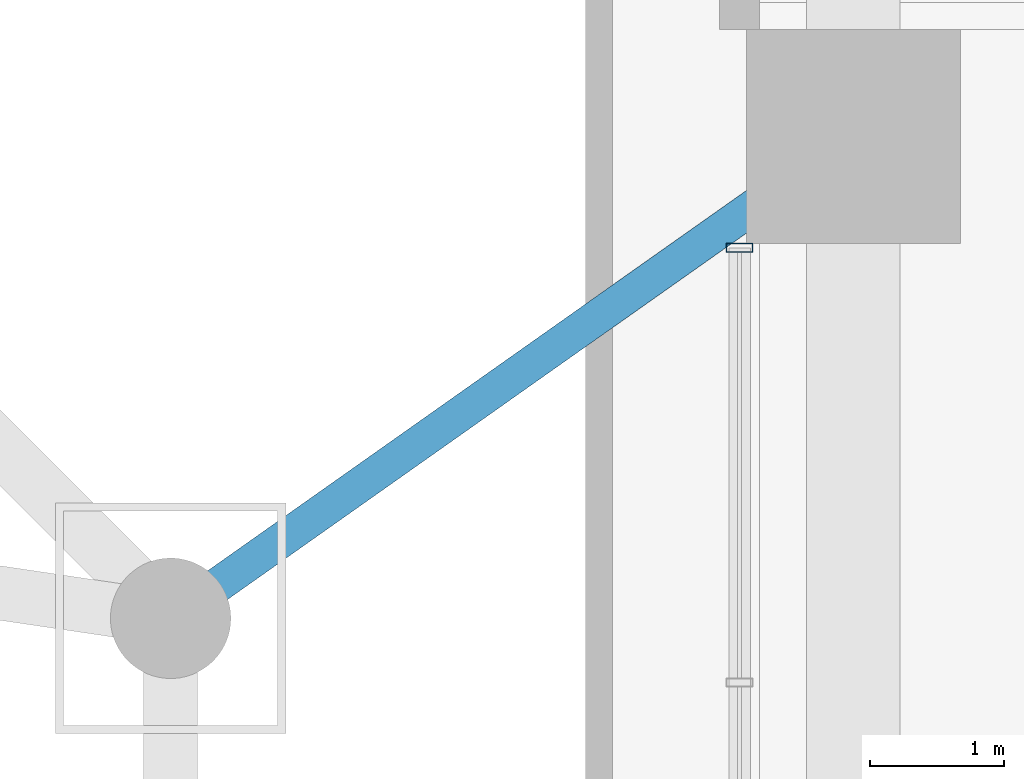
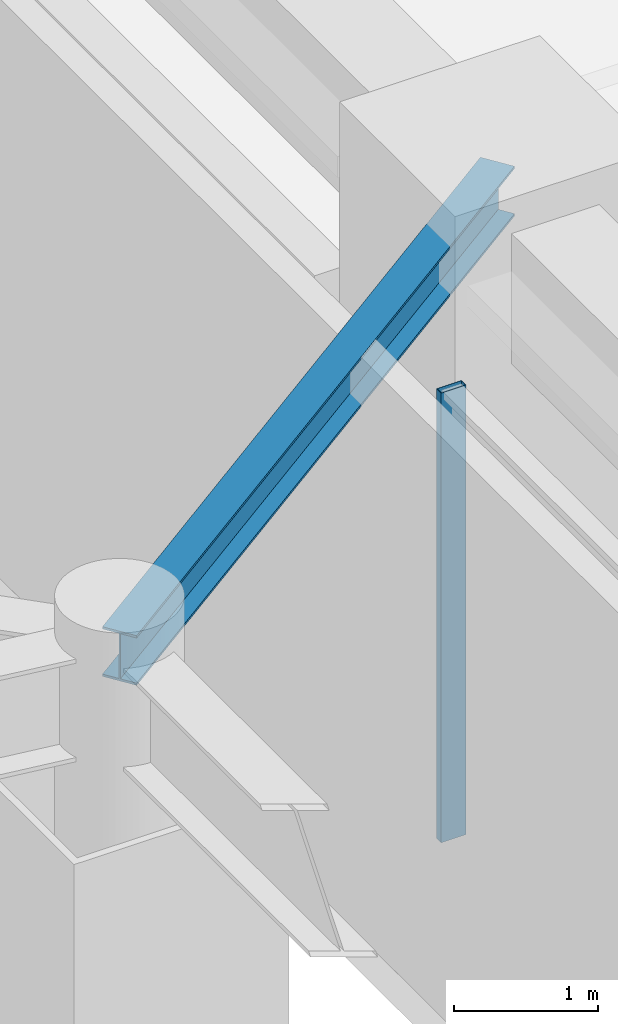
# One storey, part 14 of 27: 1 beam, 1 member, 1 element without a shape of its own.
"""IFC4 building model written with IfcOpenShell, lengths in metres."""

from ifc_helpers import new_model, si_unit, direction, frame, origin, origin_2d, place, context, subcontext, project, spatial, hollow_rectangle, i_section, extrude, source, transform, mapped, material, layer, layer_set, material_profile, profile_set, type_object, element, aggregate, save


model = new_model("IFC4")

# Units and contexts
model_context = context("Model", 3, precision=1e-05, world=origin(), true_north=direction((0.0, 1.0)))
body_context = subcontext(model_context, "Body", "Model", "MODEL_VIEW")
ifc_project = project(units=[si_unit("LENGTHUNIT", "METRE"), si_unit("AREAUNIT", "SQUARE_METRE"), si_unit("VOLUMEUNIT", "CUBIC_METRE"), si_unit("PLANEANGLEUNIT", "RADIAN"), si_unit("MASSUNIT", "GRAM", prefix="KILO")], contexts=[model_context])

# Site, building, storey
site_placement = place(None, origin())
site = spatial("IfcSite", under=ifc_project, at=site_placement, CompositionType="ELEMENT")
building_placement = place(site_placement, origin())
building = spatial("IfcBuilding", under=site, at=building_placement, Name="Veraguas Prism Commons", CompositionType="ELEMENT")
storey_placement = place(building_placement, origin())
storey = spatial("IfcBuildingStorey", under=building, at=storey_placement, Name="L00", CompositionType="ELEMENT", Elevation=0.0)

# Beam
ifc_material_1 = material(Name="Steel ASTM A992 Grade 50", Category="steel")
ifc_material_profile_1 = material_profile(ifc_material_1, i_section(OverallWidth=0.260986328125, OverallDepth=0.419921875, WebThickness=0.01171875, FlangeThickness=0.019287109375, at=origin_2d()), Name="W410X114")
ifc_profile_set_1 = profile_set([ifc_material_profile_1], Name="Steel ASTM A992 Grade 50")
beam_type = type_object("IfcBeamType", Name="Lower Floor Joist W410x114", PredefinedType="JOIST", material=ifc_profile_set_1)
beam_placement = place(storey_placement, frame((41.60009765625, 29.39990234375, 4.68994140625), z_axis=(0.816952688962, 0.576704693927, 0.0), x_axis=(-0.576704693927, 0.816952688962, 0.0)))
element("IfcBeam", 1, at=beam_placement, inside=storey, type_object=beam_type, Name="Podium Tie Beam L00-TMT02", PredefinedType="JOIST", context=body_context, shape_type="SweptSolid", body=[
    extrude(i_section(OverallWidth=0.260986328125, OverallDepth=0.419921875, WebThickness=0.01171875, FlangeThickness=0.019287109375, at=origin_2d()), origin(), (0.0, 0.0, 1.0), 6.242431640625),
])

# Curtain wall, member
ifc_material_2 = material(Name="Anodised aluminium EN AW-6063 T6", Category="aluminium")
ifc_layer = layer(ifc_material_2, 0.199951171875, Name="Metro Concourse Structural Glazing", Category="aluminium")
ifc_layer_set = layer_set([ifc_layer], Name="Anodised aluminium EN AW-6063 T6")
curtain_wall_type = type_object("IfcCurtainWallType", Name="Metro Concourse Structural Glazing", PredefinedType="NOTDEFINED", material=ifc_layer_set)
curtain_wall_placement = place(storey_placement, origin())
curtain_wall = element("IfcCurtainWall", 2, at=curtain_wall_placement, inside=storey, type_object=curtain_wall_type, Name="Plaza Concourse Curtain Wall L00-E02", PredefinedType="NOTDEFINED")
ifc_material_profile_2 = material_profile(ifc_material_2, hollow_rectangle(XDim=0.06494140625, YDim=0.199951171875, WallThickness=0.00390625, at=origin_2d()), Name="AL65X200X4")
ifc_profile_set_2 = profile_set([ifc_material_profile_2], Name="Anodised aluminium EN AW-6063 T6")
member_type = type_object("IfcMemberType", Name="Curtain Wall Mullion Heavy AL 65x200x4", PredefinedType="MULLION", material=ifc_profile_set_2)
shared_shape = source(origin(), body_context, "Body", "SweptSolid", [
    extrude(hollow_rectangle(XDim=0.06494140625, YDim=0.199951171875, WallThickness=0.00390625, at=origin_2d()), origin(), (0.0, 0.0, 1.0), 3.800048828125),
])
member_placement = place(storey_placement, frame((45.85009765625, 32.16748046875, 0.0), z_axis=(0.0, 0.0, 1.0), x_axis=(0.0, 1.0, 0.0)))
member = element("IfcMember", 3, at=member_placement, type_object=member_type, Name="CW-STN Mullion 6", PredefinedType="MULLION", context=body_context, shape_type="MappedRepresentation", body=[
    mapped(shared_shape, transform((0.0, 0.0, 0.0), scale=1.0)),
])
aggregate(curtain_wall, [member])

save(model, "model.ifc")
